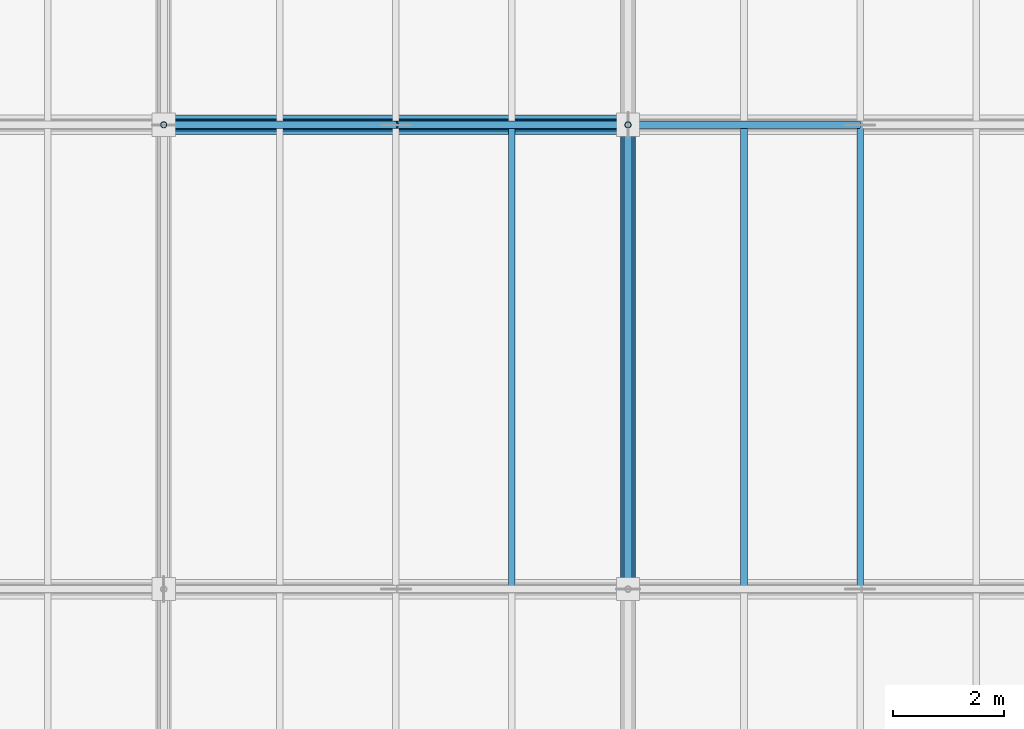
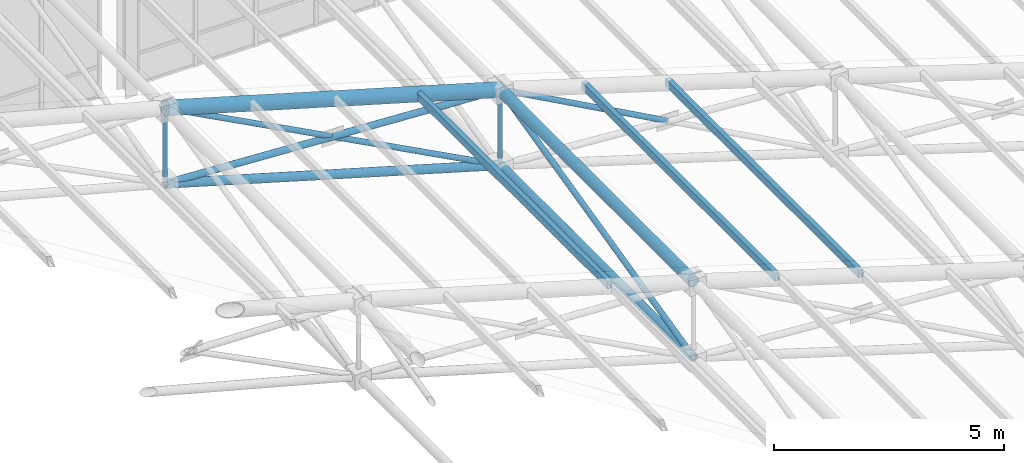
# One storey, part 59 of 144: 14 members.
"""IFC4 building model written with IfcOpenShell, lengths in metres."""

import ifcopenshell
import ifcopenshell.guid

model = None  # the IFC model being written
_history = None  # IfcOwnerHistory: only IFC2X3 demands one
_inside = {}  # id of a spatial element -> (the spatial element, [elements in it])
_under = {}  # id of a project, library or spatial element -> (it, [spatial elements below it])
_declared = {}  # id of a project -> (the project, [libraries it declares])
_typed = {}  # id of a type object -> (the type object, [elements of that type])
_made_of = {}  # id of a material, layer set ... -> (it, [elements and type objects made of it])


def new_model(schema):
    """Start an empty IFC model of exactly this schema.

    Asked for "IFC4X3", IfcOpenShell would pick the latest addendum, in which some entities
    have other attributes; the version numbers below select the first issue.
    IFC2X3 requires an IfcOwnerHistory on every rooted entity: one is made here for all.
    """
    global model, _history
    if schema == "IFC4X3":
        model = ifcopenshell.file(schema_version=(4, 3, 0, 0))
    else:
        model = ifcopenshell.file(schema=schema)
    _inside.clear()
    _under.clear()
    _declared.clear()
    _typed.clear()
    _made_of.clear()
    _history = None
    if model.schema == "IFC2X3":
        org = make("IfcOrganization", Name="unknown")
        user = make(
            "IfcPersonAndOrganization",
            ThePerson=make("IfcPerson", FamilyName="unknown"),
            TheOrganization=org,
        )
        app = make(
            "IfcApplication",
            ApplicationDeveloper=org,
            Version="unknown",
            ApplicationFullName="unknown",
            ApplicationIdentifier="unknown",
        )
        _history = make(
            "IfcOwnerHistory",
            OwningUser=user,
            OwningApplication=app,
            ChangeAction="ADDED",
            CreationDate=0,
        )
    return model


def make(cls, **values):
    """One entity of the class cls with the attributes given. An attribute that is None is left unset."""
    return model.create_entity(
        cls, **{name: value for name, value in values.items() if value is not None}
    )


def rooted(cls, **values):
    """An entity with a GlobalId (a new one), such as an element, a storey or a relation."""
    return make(cls, GlobalId=ifcopenshell.guid.new(), OwnerHistory=_history, **values)


def si_unit(unit_type, name, prefix=None):
    """IfcSIUnit, for example si_unit("LENGTHUNIT", "METRE", prefix="MILLI")."""
    return make("IfcSIUnit", UnitType=unit_type, Prefix=prefix, Name=name)


def assignment(units):
    """IfcUnitAssignment: the units of a project."""
    return None if units is None else make("IfcUnitAssignment", Units=units)


def point(xyz):
    """IfcCartesianPoint."""
    return None if xyz is None else make("IfcCartesianPoint", Coordinates=xyz)


def direction(xyz):
    """IfcDirection."""
    return None if xyz is None else make("IfcDirection", DirectionRatios=xyz)


def frame(location, z_axis=None, x_axis=None):
    """IfcAxis2Placement3D, a coordinate frame: its origin and axes. An axis left out is left unset."""
    return make(
        "IfcAxis2Placement3D",
        Location=point(location),
        Axis=direction(z_axis),
        RefDirection=direction(x_axis),
    )


def frame_2d(location, x_axis=None):
    """IfcAxis2Placement2D, a coordinate frame in the plane: its origin and x axis."""
    return make(
        "IfcAxis2Placement2D", Location=point(location), RefDirection=direction(x_axis)
    )


def origin():
    """The frame at (0, 0, 0) with its axes left unset."""
    return frame((0.0, 0.0, 0.0))


def origin_2d():
    """The frame at (0, 0) in the plane with its x axis left unset."""
    return frame_2d((0.0, 0.0))


def place(relative_to, where):
    """IfcLocalPlacement: puts the frame where relative to a parent placement (None: the world)."""
    return make(
        "IfcLocalPlacement", PlacementRelTo=relative_to, RelativePlacement=where
    )


def context(
    kind, dimensions, precision=None, world=None, true_north=None, identifier=None
):
    """IfcGeometricRepresentationContext, for example the 3D "Model" context."""
    return make(
        "IfcGeometricRepresentationContext",
        ContextIdentifier=identifier,
        ContextType=kind,
        CoordinateSpaceDimension=dimensions,
        Precision=precision,
        WorldCoordinateSystem=world,
        TrueNorth=true_north,
    )


def subcontext(parent, identifier, kind, view, scale=None):
    """IfcGeometricRepresentationSubContext, for example "Body" below "Model"."""
    return make(
        "IfcGeometricRepresentationSubContext",
        ContextIdentifier=identifier,
        ContextType=kind,
        ParentContext=parent,
        TargetScale=scale,
        TargetView=view,
    )


def project(units=None, contexts=None):
    """IfcProject with its units and contexts."""
    return rooted(
        "IfcProject",
        Name="project",
        RepresentationContexts=contexts,
        UnitsInContext=assignment(units),
    )


def spatial(cls, under=None, at=None, **own):
    """A site, building, storey or space (cls), placed at a placement, below another one or the project."""
    s = rooted(cls, ObjectPlacement=at, **own)
    if under is not None:
        _under.setdefault(under.id(), (under, []))[1].append(s)
    return s


def profile(cls, at=None, kind="AREA", **sizes):
    """A parametric profile (cls). Its sizes go by their IFC names, for example OverallWidth=200.0."""
    return make(cls, ProfileType=kind, Position=at, **sizes)


def hollow_rectangle(**sizes):
    """IfcRectangleHollowProfileDef."""
    return profile("IfcRectangleHollowProfileDef", **sizes)


def hollow_circle(**sizes):
    """IfcCircleHollowProfileDef."""
    return profile("IfcCircleHollowProfileDef", **sizes)


def extrude(swept, where, along, depth):
    """IfcExtrudedAreaSolid: the profile swept, set in the frame where, extruded along a direction by depth."""
    return make(
        "IfcExtrudedAreaSolid",
        SweptArea=swept,
        Position=where,
        ExtrudedDirection=direction(along),
        Depth=depth,
    )


def shape(context_of_items, identifier, shape_type, items):
    """IfcShapeRepresentation: the items that make up one representation, for example the "Body"."""
    return make(
        "IfcShapeRepresentation",
        ContextOfItems=context_of_items,
        RepresentationIdentifier=identifier,
        RepresentationType=shape_type,
        Items=items,
    )


def material(Name=None, Category=None):
    """IfcMaterial."""
    return make("IfcMaterial", Name=Name, Category=Category)


def material_profile(
    of_material, cross_section, Name=None, Category=None, Priority=None
):
    """IfcMaterialProfile: a cross section and its material."""
    return make(
        "IfcMaterialProfile",
        Name=Name,
        Material=of_material,
        Profile=cross_section,
        Priority=Priority,
        Category=Category,
    )


def profile_set(profiles, Name=None, composite=None):
    """IfcMaterialProfileSet."""
    return make(
        "IfcMaterialProfileSet",
        Name=Name,
        MaterialProfiles=profiles,
        CompositeProfile=composite,
    )


def made_of(thing, what):
    """Note that an element or type object is made of a material, layer set ...; save() writes the relation."""
    if what is not None:
        _made_of.setdefault(what.id(), (what, []))[1].append(thing)
    return thing


def type_object(cls, material=None, **own):
    """A type object (cls), such as IfcWallType, which elements share."""
    return made_of(rooted(cls, **own), material)


def element(
    cls,
    number,
    at=None,
    inside=None,
    cuts=None,
    type_object=None,
    material=None,
    context=None,
    identifier="Body",
    shape_type=None,
    held_by="IfcProductDefinitionShape",
    body=None,
    shapes=None,
    **own,
):
    """One element of the class cls, such as IfcWall. Its Tag is "e" and its number.

    at: its placement. inside: the storey or other place that contains it. cuts: it is an
    opening in that element (IfcRelVoidsElement). A single representation is given by context,
    identifier, shape_type and body (its items); several are given by shapes. held_by: the class
    of the entity that holds the representations. save() writes the other relations.
    """
    e = rooted(cls, Tag="e%d" % number, ObjectPlacement=at, **own)
    if body is not None:
        shapes = [shape(context, identifier, shape_type, body)]
    if shapes is not None:
        e.Representation = make(held_by, Representations=shapes)
    if inside is not None:
        _inside.setdefault(inside.id(), (inside, []))[1].append(e)
    if cuts is not None:
        rooted(
            "IfcRelVoidsElement", RelatingBuildingElement=cuts, RelatedOpeningElement=e
        )
    if type_object is not None:
        _typed.setdefault(type_object.id(), (type_object, []))[1].append(e)
    return made_of(e, material)


def aggregate(whole, parts):
    """IfcRelAggregates: a whole, such as a stair, and the parts it consists of."""
    return rooted("IfcRelAggregates", RelatingObject=whole, RelatedObjects=parts)


def save(model, path):
    """Write the relations noted so far, then the file.

    IfcRelAggregates (storeys below a building ...), IfcRelContainedInSpatialStructure (elements
    in a storey), IfcRelDefinesByType, IfcRelAssociatesMaterial and IfcRelDeclares: one each for
    every whole, place, type object, material and project.
    """
    for whole, parts in _under.values():
        aggregate(whole, parts)
    for where, things in _inside.values():
        rooted(
            "IfcRelContainedInSpatialStructure",
            RelatedElements=things,
            RelatingStructure=where,
        )
    for kind, things in _typed.values():
        rooted("IfcRelDefinesByType", RelatedObjects=things, RelatingType=kind)
    for what, things in _made_of.values():
        rooted("IfcRelAssociatesMaterial", RelatedObjects=things, RelatingMaterial=what)
    for by, libraries in _declared.values():
        rooted("IfcRelDeclares", RelatingContext=by, RelatedDefinitions=libraries)
    model.write(path)


model = new_model("IFC4")

# Units and contexts
model_context = context("Model", 3, precision=1e-05, world=origin(), true_north=direction((0.0, 1.0)))
body_context = subcontext(model_context, "Body", "Model", "MODEL_VIEW")
ifc_project = project(units=[si_unit("LENGTHUNIT", "METRE"), si_unit("AREAUNIT", "SQUARE_METRE"), si_unit("VOLUMEUNIT", "CUBIC_METRE"), si_unit("PLANEANGLEUNIT", "RADIAN"), si_unit("MASSUNIT", "GRAM", prefix="KILO")], contexts=[model_context])

# Site, building, storey
site_placement = place(None, origin())
site = spatial("IfcSite", under=ifc_project, at=site_placement, CompositionType="ELEMENT")
building_placement = place(site_placement, origin())
building = spatial("IfcBuilding", under=site, at=building_placement, Name="Zayran Congress Hotel", CompositionType="ELEMENT")
storey_placement = place(building_placement, frame((0.0, 0.0, 19.199951171875)))
storey = spatial("IfcBuildingStorey", under=building, at=storey_placement, Name="L04", CompositionType="ELEMENT", Elevation=19.199951171875)

# Members
ifc_material = material(Name="Steel S355", Category="steel")
ifc_material_profile_1 = material_profile(ifc_material, hollow_circle(Radius=0.177734375, WallThickness=0.01611328125, at=origin_2d()), Name="CHS 355.6x16")
ifc_profile_set_1 = profile_set([ifc_material_profile_1], Name="Steel S355")
member_type_1 = type_object("IfcMemberType", Name="TP-SF-TC1", PredefinedType="CHORD", material=ifc_profile_set_1)
member_1_placement = place(storey_placement, frame((58.800048828125, 101.199951171875, 12.35205078125), z_axis=(0.960000625005, 0.0, -0.279997857116), x_axis=(0.0, 1.0, 0.0)))
element("IfcMember", 1, at=member_1_placement, inside=storey, type_object=member_type_1, Name="Space Frame Top Chord X 363", PredefinedType="CHORD", context=body_context, shape_type="SweptSolid", body=[
    extrude(hollow_circle(Radius=0.177734375, WallThickness=0.01611328125, at=origin_2d()), origin(), (0.0, 0.0, 1.0), 8.75),
])
ifc_material_profile_2 = material_profile(ifc_material, hollow_circle(Radius=0.136474609375, WallThickness=0.012451171875, at=origin_2d()), Name="CHS 273x12.5")
ifc_profile_set_2 = profile_set([ifc_material_profile_2], Name="Steel S355")
member_type_2 = type_object("IfcMemberType", Name="TP-SF-TC2", PredefinedType="CHORD", material=ifc_profile_set_2)
member_2_placement = place(storey_placement, frame((67.199951171875, 92.800048828125, 9.902099609375), z_axis=(0.0, 1.0, 0.0), x_axis=(-1.0, 0.0, 0.0)))
element("IfcMember", 2, at=member_2_placement, inside=storey, type_object=member_type_2, Name="Space Frame Top Chord Y 412", PredefinedType="CHORD", context=body_context, shape_type="SweptSolid", body=[
    extrude(hollow_circle(Radius=0.136474609375, WallThickness=0.012451171875, at=origin_2d()), origin(), (0.0, 0.0, 1.0), 8.39990234375),
])
ifc_material_profile_3 = material_profile(ifc_material, hollow_circle(Radius=0.109619140625, WallThickness=0.010009765625, at=origin_2d()), Name="CHS 219.1x10")
ifc_profile_set_3 = profile_set([ifc_material_profile_3], Name="Steel S355")
member_type_3 = type_object("IfcMemberType", Name="TP-SF-BC1", PredefinedType="CHORD", material=ifc_profile_set_3)
member_3_placement = place(storey_placement, frame((58.800048828125, 101.199951171875, 10.35009765625), z_axis=(0.960000625005, 0.0, -0.279997857116), x_axis=(0.0, 1.0, 0.0)))
element("IfcMember", 3, at=member_3_placement, inside=storey, type_object=member_type_3, Name="Space Frame Bottom Chord X 364", PredefinedType="CHORD", context=body_context, shape_type="SweptSolid", body=[
    extrude(hollow_circle(Radius=0.109619140625, WallThickness=0.010009765625, at=origin_2d()), origin(), (0.0, 0.0, 1.0), 8.75),
])
member_4_placement = place(storey_placement, frame((67.199951171875, 92.800048828125, 7.900146484375), z_axis=(0.0, 1.0, 0.0), x_axis=(-1.0, 0.0, 0.0)))
element("IfcMember", 4, at=member_4_placement, inside=storey, type_object=member_type_3, Name="Space Frame Bottom Chord Y 413", PredefinedType="CHORD", context=body_context, shape_type="SweptSolid", body=[
    extrude(hollow_circle(Radius=0.109619140625, WallThickness=0.010009765625, at=origin_2d()), origin(), (0.0, 0.0, 1.0), 8.39990234375),
])
ifc_material_profile_4 = material_profile(ifc_material, hollow_circle(Radius=0.084228515625, WallThickness=0.008056640625, at=origin_2d()), Name="CHS 168.3x8")
ifc_profile_set_4 = profile_set([ifc_material_profile_4], Name="Steel S355")
member_type_4 = type_object("IfcMemberType", Name="TP-SF-DG1", PredefinedType="BRACE", material=ifc_profile_set_4)
member_5_placement = place(storey_placement, frame((58.800048828125, 101.199951171875, 10.35009765625), z_axis=(0.998580784097, 0.0, -0.053258028798), x_axis=(0.0, 1.0, 0.0)))
element("IfcMember", 5, at=member_5_placement, inside=storey, type_object=member_type_4, Name="Space Frame Web Diagonal X 365", PredefinedType="BRACE", context=body_context, shape_type="SweptSolid", body=[
    extrude(hollow_circle(Radius=0.084228515625, WallThickness=0.008056640625, at=origin_2d()), origin(), (0.0, 0.0, 1.0), 8.411865234375),
])
ifc_material_profile_5 = material_profile(ifc_material, hollow_circle(Radius=0.06982421875, WallThickness=0.00634765625, at=origin_2d()), Name="CHS 139.7x6.3")
ifc_profile_set_5 = profile_set([ifc_material_profile_5], Name="Steel S355")
member_type_5 = type_object("IfcMemberType", Name="TP-SF-DG2", PredefinedType="BRACE", material=ifc_profile_set_5)
for number, where, z_axis, x_axis, name in (
    (6, (58.800048828125, 101.199951171875, 12.35205078125), (0.883572260403, 0.0, -0.468294843711), (0.0, 1.0, 0.0), "Space Frame Counter Diagonal X Upper 366"),
    (7, (63.01318359375, 101.199951171875, 10.119140625), (0.883572260403, 0.0, -0.468294843711), (0.0, 1.0, 0.0), "Space Frame Counter Diagonal X Lower 59"),
):
    element("IfcMember", number, at=place(storey_placement, frame(where, z_axis=z_axis, x_axis=x_axis)), inside=storey, type_object=member_type_5, Name=name, PredefinedType="BRACE", context=body_context, shape_type="SweptSolid", body=[
        extrude(hollow_circle(Radius=0.06982421875, WallThickness=0.00634765625, at=origin_2d()), origin(), (0.0, 0.0, 1.0), 4.738525390625),
    ])
member_6_placement = place(storey_placement, frame((67.199951171875, 92.800048828125, 7.900146484375), z_axis=(0.0, 0.97275461998, 0.231837118056), x_axis=(-1.0, 0.0, 0.0)))
element("IfcMember", 8, at=member_6_placement, inside=storey, type_object=member_type_5, Name="Space Frame Web Diagonal Y 414", PredefinedType="BRACE", context=body_context, shape_type="SweptSolid", body=[
    extrude(hollow_circle(Radius=0.06982421875, WallThickness=0.00634765625, at=origin_2d()), origin(), (0.0, 0.0, 1.0), 8.63525390625),
])
member_7_placement = place(storey_placement, frame((67.199951171875, 101.199951171875, 9.902099609375), z_axis=(0.87699109083, 0.0, -0.480506635339), x_axis=(0.0, 1.0, 0.0)))
element("IfcMember", 9, at=member_7_placement, inside=storey, type_object=member_type_5, Name="Space Frame Counter Diagonal X Upper 419", PredefinedType="BRACE", context=body_context, shape_type="SweptSolid", body=[
    extrude(hollow_circle(Radius=0.06982421875, WallThickness=0.00634765625, at=origin_2d()), origin(), (0.0, 0.0, 1.0), 4.77392578125),
])
ifc_material_profile_6 = material_profile(ifc_material, hollow_circle(Radius=0.05712890625, WallThickness=0.00634765625, at=origin_2d()), Name="CHS 114.3x6.3")
ifc_profile_set_6 = profile_set([ifc_material_profile_6], Name="Steel S355")
member_type_6 = type_object("IfcMemberType", Name="TP-SF-DG3", PredefinedType="BRACE", material=ifc_profile_set_6)
for number, where, z_axis, x_axis, name in (
    (10, (58.800048828125, 101.199951171875, 10.35009765625), (0.0, 0.0, 1.0), (0.0, 1.0, 0.0), "Space Frame Web Strut 370"),
    (11, (67.199951171875, 101.199951171875, 7.900146484375), (0.0, 0.0, 1.0), (0.0, 1.0, 0.0), "Space Frame Web Strut 423"),
):
    element("IfcMember", number, at=place(storey_placement, frame(where, z_axis=z_axis, x_axis=x_axis)), inside=storey, type_object=member_type_6, Name=name, PredefinedType="BRACE", context=body_context, shape_type="SweptSolid", body=[
        extrude(hollow_circle(Radius=0.05712890625, WallThickness=0.00634765625, at=origin_2d()), origin(), (0.0, 0.0, 1.0), 2.001953125),
    ])
ifc_material_profile_7 = material_profile(ifc_material, hollow_rectangle(XDim=0.1201171875, YDim=0.199951171875, WallThickness=0.008056640625, at=origin_2d()), Name="RHS 200x120x8")
ifc_profile_set_7 = profile_set([ifc_material_profile_7], Name="Steel S355")
member_type_7 = type_object("IfcMemberType", Name="TP-PR-01", PredefinedType="PURLIN", material=ifc_profile_set_7)
for number, where, z_axis, x_axis, name in (
    (12, (65.10009765625, 92.800048828125, 10.556640625), (0.0, 1.0, 0.0), (-1.0, 0.0, 0.0), "MEM-PR-V1-0124"),
    (13, (69.300048828125, 92.800048828125, 9.2939453125), (0.0, 1.0, 0.0), (-1.0, 0.0, 0.0), "MEM-PR-V1-0130"),
    (14, (71.39990234375, 92.800048828125, 8.64404296875), (0.0, 1.0, 0.0), (-1.0, 0.0, 0.0), "MEM-PR-V1-0136"),
):
    element("IfcMember", number, at=place(storey_placement, frame(where, z_axis=z_axis, x_axis=x_axis)), inside=storey, type_object=member_type_7, Name=name, PredefinedType="PURLIN", context=body_context, shape_type="SweptSolid", body=[
        extrude(hollow_rectangle(XDim=0.1201171875, YDim=0.199951171875, WallThickness=0.008056640625, at=origin_2d()), origin(), (0.0, 0.0, 1.0), 8.39990234375),
    ])

save(model, "model.ifc")
